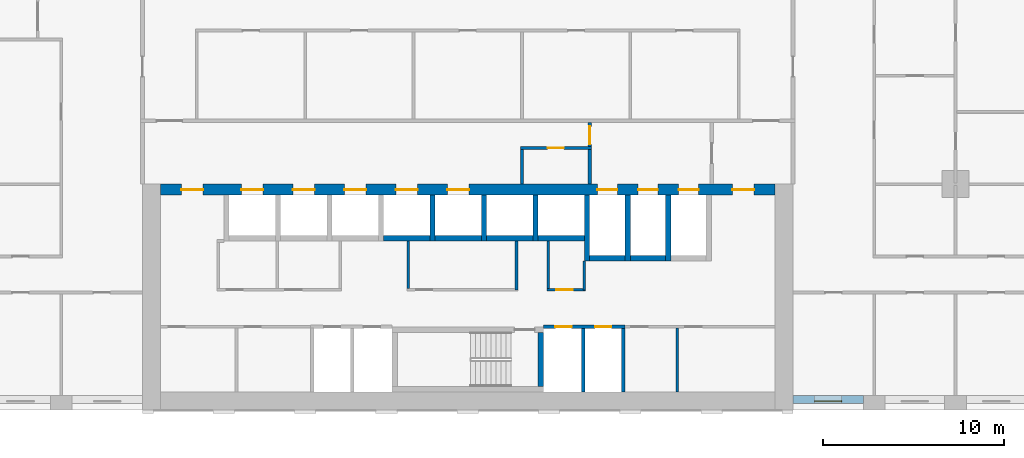
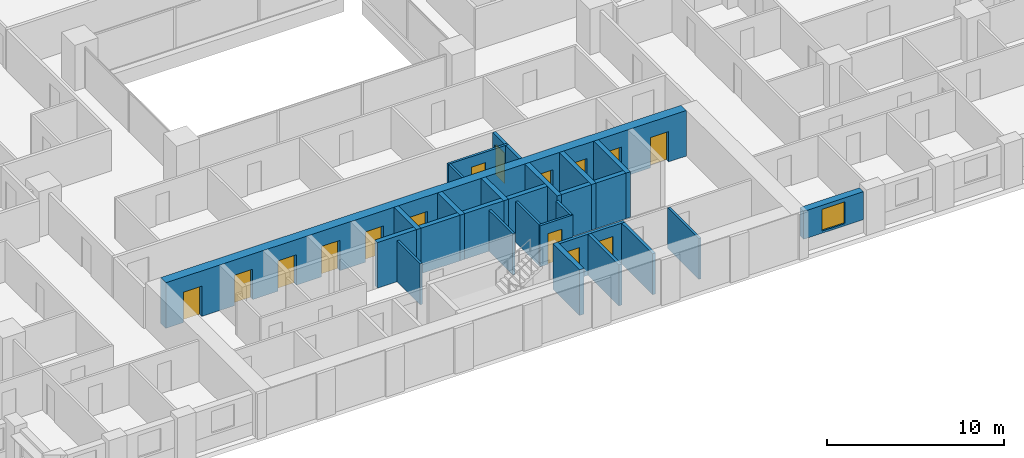
# One storey, part 11 of 19: 28 walls, 15 doors, 1 window, 16 openings.
"""IFC4 building model written with IfcOpenShell, lengths in metres."""

from ifc_helpers import new_model, si_unit, direction, frame, frame_2d, origin, place, context, subcontext, project, spatial, rectangle, extrude, material, layer, layer_set, type_object, element, fill, save


model = new_model("IFC4")

# Units and contexts
model_context = context("Model", 3, precision=1e-05, world=origin(), true_north=direction((0.0, 1.0)))
body_context = subcontext(model_context, "Body", "Model", "MODEL_VIEW")
ifc_project = project(units=[si_unit("LENGTHUNIT", "METRE"), si_unit("AREAUNIT", "SQUARE_METRE"), si_unit("VOLUMEUNIT", "CUBIC_METRE"), si_unit("PLANEANGLEUNIT", "RADIAN"), si_unit("MASSUNIT", "GRAM", prefix="KILO")], contexts=[model_context])

# Site, building, storey
site_placement = place(None, origin())
site = spatial("IfcSite", under=ifc_project, at=site_placement, CompositionType="ELEMENT")
building_placement = place(site_placement, origin())
building = spatial("IfcBuilding", under=site, at=building_placement, Name="Brigalow Station Residences", CompositionType="ELEMENT")
storey_placement = place(building_placement, frame((0.0, 0.0, 22.64990234375)))
storey = spatial("IfcBuildingStorey", under=building, at=storey_placement, Name="L05", CompositionType="ELEMENT", Elevation=22.64990234375)

# Wall, opening, window
ifc_material_1 = material(Name="Clay brick masonry", Category="masonry")
ifc_layer_1 = layer(ifc_material_1, 0.449951171875)
ifc_layer_set_1 = layer_set([ifc_layer_1], Name="BRICK INFILL WALL 450")
wall_type_1 = type_object("IfcWallType", Name="BRICK INFILL WALL 450", PredefinedType="SOLIDWALL", material=ifc_layer_set_1)
wall_1_placement = place(storey_placement, frame((54.0, 0.574951171875, 0.900146484375), z_axis=(0.0, 0.0, 1.0), x_axis=(1.0, 0.0, 0.0)))
wall_1 = element("IfcWall", 1, at=wall_1_placement, inside=storey, type_object=wall_type_1, Name="L05/ewall/W-L05-5", PredefinedType="SOLIDWALL", context=body_context, shape_type="SweptSolid", body=[
    extrude(rectangle(XDim=3.89990234375, YDim=0.449951171875, at=frame_2d((1.949951171875, 0.0))), origin(), (0.0, 0.0, 1.0), 1.929931640625),
])
opening_1_placement = place(wall_1_placement, frame((1.199951171875, 0.0, 0.14990234375)))
opening_1 = element("IfcOpeningElement", 2, at=opening_1_placement, cuts=wall_1, Name="Opening WT-1", PredefinedType="OPENING", context=body_context, shape_type="SweptSolid", body=[
    extrude(rectangle(XDim=1.5, YDim=1.5, at=frame_2d((0.75, 0.75))), frame((0.0, 0.23486328125, 0.0), z_axis=(0.0, -1.0, 0.0), x_axis=(1.0, 0.0, 0.0)), (0.0, 0.0, 1.0), 0.469970703125),
])
ifc_material_2 = material(Name="Anodised aluminium frame with double glazing", Category="aluminium")
window_type = type_object("IfcWindowType", Name="WINDOW 1500x1500", PartitioningType="SINGLE_PANEL", PredefinedType="WINDOW", material=ifc_material_2)
window_placement = place(opening_1_placement, origin())
window = element("IfcWindow", 3, at=window_placement, inside=storey, type_object=window_type, Name="L05/window/W-L05-5", OverallHeight=1.5, OverallWidth=1.5, PartitioningType="SINGLE_PANEL", PredefinedType="WINDOW", context=body_context, shape_type="SweptSolid", body=[
    extrude(rectangle(XDim=1.5, YDim=1.5, at=frame_2d((0.75, 0.75))), frame((0.0, -0.06494140625, 0.0), z_axis=(0.0, -1.0, 0.0), x_axis=(1.0, 0.0, 0.0)), (0.0, 0.0, 1.0), 0.06005859375),
])
fill(opening_1, window)

# Walls
ifc_material_3 = material(Name="Concrete C80", Category="concrete")
ifc_layer_2 = layer(ifc_material_3, 0.300048828125)
ifc_layer_set_2 = layer_set([ifc_layer_2], Name="CORE SHEAR WALL 300 C80")
wall_type_2 = type_object("IfcWallType", Name="CORE SHEAR WALL 300 C80", PredefinedType="SHEAR", material=ifc_layer_set_2)
wall_2_placement = place(storey_placement, frame((31.35009765625, 9.5, 0.0), z_axis=(0.0, 0.0, 1.0), x_axis=(1.0, 0.0, 0.0)))
element("IfcWall", 4, at=wall_2_placement, inside=storey, type_object=wall_type_2, Name="CORE WALL SH-P4-S L05", PredefinedType="SHEAR", context=body_context, shape_type="SweptSolid", body=[
    extrude(rectangle(XDim=2.5498046875, YDim=0.300048828125, at=frame_2d((1.27490234375, 0.0))), origin(), (0.0, 0.0, 1.0), 3.150146484375),
])
wall_3_placement = place(storey_placement, frame((34.199951171875, 9.5, 0.0), z_axis=(0.0, 0.0, 1.0), x_axis=(1.0, 0.0, 0.0)))
element("IfcWall", 5, at=wall_3_placement, inside=storey, type_object=wall_type_2, Name="CORE WALL SH-P5-S L05", PredefinedType="SHEAR", context=body_context, shape_type="SweptSolid", body=[
    extrude(rectangle(XDim=2.550048828125, YDim=0.300048828125, at=frame_2d((1.27490234375, 0.0))), origin(), (0.0, 0.0, 1.0), 3.150146484375),
])
wall_4_placement = place(storey_placement, frame((34.050048828125, 9.35009765625, 0.0), z_axis=(0.0, 0.0, 1.0), x_axis=(0.0, 1.0, 0.0)))
element("IfcWall", 6, at=wall_4_placement, inside=storey, type_object=wall_type_2, Name="CORE WALL SH-P5-W L05", PredefinedType="SHEAR", context=body_context, shape_type="SweptSolid", body=[
    extrude(rectangle(XDim=2.5498046875, YDim=0.300048828125, at=frame_2d((1.27490234375, 0.0))), origin(), (0.0, 0.0, 1.0), 3.150146484375),
])
wall_5_placement = place(storey_placement, frame((37.050048828125, 9.5, 0.0), z_axis=(0.0, 0.0, 1.0), x_axis=(1.0, 0.0, 0.0)))
element("IfcWall", 7, at=wall_5_placement, inside=storey, type_object=wall_type_2, Name="CORE WALL SH-X1-S L05", PredefinedType="SHEAR", context=body_context, shape_type="SweptSolid", body=[
    extrude(rectangle(XDim=2.550048828125, YDim=0.300048828125, at=frame_2d((1.27490234375, 0.0))), origin(), (0.0, 0.0, 1.0), 3.150146484375),
])
wall_6_placement = place(storey_placement, frame((36.89990234375, 9.35009765625, 0.0), z_axis=(0.0, 0.0, 1.0), x_axis=(0.0, 1.0, 0.0)))
element("IfcWall", 8, at=wall_6_placement, inside=storey, type_object=wall_type_2, Name="CORE WALL SH-X1-W L05", PredefinedType="SHEAR", context=body_context, shape_type="SweptSolid", body=[
    extrude(rectangle(XDim=2.5498046875, YDim=0.300048828125, at=frame_2d((1.27490234375, 0.0))), origin(), (0.0, 0.0, 1.0), 3.150146484375),
])
wall_7_placement = place(storey_placement, frame((39.89990234375, 9.5, 0.0), z_axis=(0.0, 0.0, 1.0), x_axis=(1.0, 0.0, 0.0)))
element("IfcWall", 9, at=wall_7_placement, inside=storey, type_object=wall_type_2, Name="CORE WALL SH-X2-S L05", PredefinedType="SHEAR", context=body_context, shape_type="SweptSolid", body=[
    extrude(rectangle(XDim=2.550048828125, YDim=0.300048828125, at=frame_2d((1.27490234375, 0.0))), origin(), (0.0, 0.0, 1.0), 3.150146484375),
])
wall_8_placement = place(storey_placement, frame((39.75, 9.35009765625, 0.0), z_axis=(0.0, 0.0, 1.0), x_axis=(0.0, 1.0, 0.0)))
element("IfcWall", 10, at=wall_8_placement, inside=storey, type_object=wall_type_2, Name="CORE WALL SH-X2-W L05", PredefinedType="SHEAR", context=body_context, shape_type="SweptSolid", body=[
    extrude(rectangle(XDim=2.5498046875, YDim=0.300048828125, at=frame_2d((1.27490234375, 0.0))), origin(), (0.0, 0.0, 1.0), 3.150146484375),
])
wall_9_placement = place(storey_placement, frame((42.75, 8.39990234375, 0.0), z_axis=(0.0, 0.0, 1.0), x_axis=(1.0, 0.0, 0.0)))
element("IfcWall", 11, at=wall_9_placement, inside=storey, type_object=wall_type_2, Name="CORE WALL SH-FF1-S L05", PredefinedType="SHEAR", context=body_context, shape_type="SweptSolid", body=[
    extrude(rectangle(XDim=1.949951171875, YDim=0.300048828125, at=frame_2d((0.97509765625, 0.0))), origin(), (0.0, 0.0, 1.0), 3.150146484375),
])
wall_10_placement = place(storey_placement, frame((42.60009765625, 8.25, 0.0), z_axis=(0.0, 0.0, 1.0), x_axis=(0.0, 1.0, 0.0)))
element("IfcWall", 12, at=wall_10_placement, inside=storey, type_object=wall_type_2, Name="CORE WALL SH-FF1-W L05", PredefinedType="SHEAR", context=body_context, shape_type="SweptSolid", body=[
    extrude(rectangle(XDim=3.64990234375, YDim=0.300048828125, at=frame_2d((1.824951171875, 0.0))), origin(), (0.0, 0.0, 1.0), 3.150146484375),
])
wall_11_placement = place(storey_placement, frame((45.0, 8.39990234375, 0.0), z_axis=(0.0, 0.0, 1.0), x_axis=(1.0, 0.0, 0.0)))
element("IfcWall", 13, at=wall_11_placement, inside=storey, type_object=wall_type_2, Name="CORE WALL SH-FF2-S L05", PredefinedType="SHEAR", context=body_context, shape_type="SweptSolid", body=[
    extrude(rectangle(XDim=1.949951171875, YDim=0.300048828125, at=frame_2d((0.97509765625, 0.0))), origin(), (0.0, 0.0, 1.0), 3.150146484375),
])
for number, where, z_axis, x_axis, name in (
    (14, (44.85009765625, 8.25, 0.0), (0.0, 0.0, 1.0), (0.0, 1.0, 0.0), "CORE WALL SH-FF2-W L05"),
    (15, (47.10009765625, 8.25, 0.0), (0.0, 0.0, 1.0), (0.0, 1.0, 0.0), "CORE WALL SH-SL1-W L05"),
):
    element("IfcWall", number, at=place(storey_placement, frame(where, z_axis=z_axis, x_axis=x_axis)), inside=storey, type_object=wall_type_2, Name=name, PredefinedType="SHEAR", context=body_context, shape_type="SweptSolid", body=[
        extrude(rectangle(XDim=3.64990234375, YDim=0.300048828125, at=frame_2d((1.824951171875, 0.0))), origin(), (0.0, 0.0, 1.0), 3.150146484375),
    ])
wall_12_placement = place(storey_placement, frame((40.050048828125, 1.300048828125, 0.0), z_axis=(0.0, 0.0, 1.0), x_axis=(0.0, 1.0, 0.0)))
element("IfcWall", 16, at=wall_12_placement, inside=storey, type_object=wall_type_2, Name="CORE WALL ST-S2-E L05", PredefinedType="SHEAR", context=body_context, shape_type="SweptSolid", body=[
    extrude(rectangle(XDim=3.0, YDim=0.300048828125, at=frame_2d((1.5, 0.0))), origin(), (0.0, 0.0, 1.0), 3.150146484375),
])

# Wall, openings, doors
ifc_material_4 = material(Name="Concrete C80", Category="concrete")
ifc_layer_3 = layer(ifc_material_4, 0.60009765625)
ifc_layer_set_3 = layer_set([ifc_layer_3], Name="CORE SHEAR WALL 600 C80")
wall_type_3 = type_object("IfcWallType", Name="CORE SHEAR WALL 600 C80", PredefinedType="SHEAR", material=ifc_layer_set_3)
wall_13_placement = place(storey_placement, frame((19.0, 12.199951171875, 0.0), z_axis=(0.0, 0.0, 1.0), x_axis=(1.0, 0.0, 0.0)))
wall_13 = element("IfcWall", 17, at=wall_13_placement, inside=storey, type_object=wall_type_3, Name="CORE WALL OUT-N L05", PredefinedType="SHEAR", context=body_context, shape_type="SweptSolid", body=[
    extrude(rectangle(XDim=34.0, YDim=0.60009765625, at=frame_2d((17.0, 0.0))), origin(), (0.0, 0.0, 1.0), 3.150146484375),
])
opening_2_placement = place(wall_13_placement, frame((4.47509765625, 0.0, 0.0)))
opening_2 = element("IfcOpeningElement", 18, at=opening_2_placement, cuts=wall_13, Name="Opening LD-LA1", PredefinedType="OPENING", context=body_context, shape_type="SweptSolid", body=[
    extrude(rectangle(XDim=1.199951171875, YDim=2.10009765625, at=frame_2d((0.60009765625, 1.050048828125))), frame((0.0, 0.31005859375, 0.0), z_axis=(0.0, -1.0, 0.0), x_axis=(1.0, 0.0, 0.0)), (0.0, 0.0, 1.0), 0.6201171875),
])
opening_3_placement = place(wall_13_placement, frame((7.324951171875, 0.0, 0.0)))
opening_3 = element("IfcOpeningElement", 19, at=opening_3_placement, cuts=wall_13, Name="Opening LD-LA2", PredefinedType="OPENING", context=body_context, shape_type="SweptSolid", body=[
    extrude(rectangle(XDim=1.199951171875, YDim=2.10009765625, at=frame_2d((0.60009765625, 1.050048828125))), frame((0.0, 0.31005859375, 0.0), z_axis=(0.0, -1.0, 0.0), x_axis=(1.0, 0.0, 0.0)), (0.0, 0.0, 1.0), 0.6201171875),
])
opening_4_placement = place(wall_13_placement, frame((10.175048828125, 0.0, 0.0)))
opening_4 = element("IfcOpeningElement", 20, at=opening_4_placement, cuts=wall_13, Name="Opening LD-LA3", PredefinedType="OPENING", context=body_context, shape_type="SweptSolid", body=[
    extrude(rectangle(XDim=1.199951171875, YDim=2.10009765625, at=frame_2d((0.60009765625, 1.050048828125))), frame((0.0, 0.31005859375, 0.0), z_axis=(0.0, -1.0, 0.0), x_axis=(1.0, 0.0, 0.0)), (0.0, 0.0, 1.0), 0.6201171875),
])
opening_5_placement = place(wall_13_placement, frame((13.02490234375, 0.0, 0.0)))
opening_5 = element("IfcOpeningElement", 21, at=opening_5_placement, cuts=wall_13, Name="Opening LD-LA4", PredefinedType="OPENING", context=body_context, shape_type="SweptSolid", body=[
    extrude(rectangle(XDim=1.199951171875, YDim=2.10009765625, at=frame_2d((0.60009765625, 1.050048828125))), frame((0.0, 0.31005859375, 0.0), z_axis=(0.0, -1.0, 0.0), x_axis=(1.0, 0.0, 0.0)), (0.0, 0.0, 1.0), 0.6201171875),
])
opening_6_placement = place(wall_13_placement, frame((15.875, 0.0, 0.0)))
opening_6 = element("IfcOpeningElement", 22, at=opening_6_placement, cuts=wall_13, Name="Opening LD-LA5", PredefinedType="OPENING", context=body_context, shape_type="SweptSolid", body=[
    extrude(rectangle(XDim=1.199951171875, YDim=2.10009765625, at=frame_2d((0.60009765625, 1.050048828125))), frame((0.0, 0.31005859375, 0.0), z_axis=(0.0, -1.0, 0.0), x_axis=(1.0, 0.0, 0.0)), (0.0, 0.0, 1.0), 0.6201171875),
])
opening_7_placement = place(wall_13_placement, frame((24.175048828125, 0.0, 0.0)))
opening_7 = element("IfcOpeningElement", 23, at=opening_7_placement, cuts=wall_13, Name="Opening LD-LF1", PredefinedType="OPENING", context=body_context, shape_type="SweptSolid", body=[
    extrude(rectangle(XDim=1.10009765625, YDim=2.10009765625, at=frame_2d((0.550048828125, 1.050048828125))), frame((0.0, 0.31005859375, 0.0), z_axis=(0.0, -1.0, 0.0), x_axis=(1.0, 0.0, 0.0)), (0.0, 0.0, 1.0), 0.6201171875),
])
opening_8_placement = place(wall_13_placement, frame((26.425048828125, 0.0, 0.0)))
opening_8 = element("IfcOpeningElement", 24, at=opening_8_placement, cuts=wall_13, Name="Opening LD-LF2", PredefinedType="OPENING", context=body_context, shape_type="SweptSolid", body=[
    extrude(rectangle(XDim=1.10009765625, YDim=2.10009765625, at=frame_2d((0.550048828125, 1.050048828125))), frame((0.0, 0.31005859375, 0.0), z_axis=(0.0, -1.0, 0.0), x_axis=(1.0, 0.0, 0.0)), (0.0, 0.0, 1.0), 0.6201171875),
])
opening_9_placement = place(wall_13_placement, frame((28.675048828125, 0.0, 0.0)))
opening_9 = element("IfcOpeningElement", 25, at=opening_9_placement, cuts=wall_13, Name="Opening LD-LG1", PredefinedType="OPENING", context=body_context, shape_type="SweptSolid", body=[
    extrude(rectangle(XDim=1.10009765625, YDim=2.10009765625, at=frame_2d((0.550048828125, 1.050048828125))), frame((0.0, 0.31005859375, 0.0), z_axis=(0.0, -1.0, 0.0), x_axis=(1.0, 0.0, 0.0)), (0.0, 0.0, 1.0), 0.6201171875),
])
opening_10_placement = place(wall_13_placement, frame((1.14990234375, 0.0, 0.0)))
opening_10 = element("IfcOpeningElement", 26, at=opening_10_placement, cuts=wall_13, Name="Opening D-5011", PredefinedType="OPENING", context=body_context, shape_type="SweptSolid", body=[
    extrude(rectangle(XDim=1.199951171875, YDim=2.10009765625, at=frame_2d((0.60009765625, 1.050048828125))), frame((0.0, 0.31005859375, 0.0), z_axis=(0.0, -1.0, 0.0), x_axis=(1.0, 0.0, 0.0)), (0.0, 0.0, 1.0), 0.6201171875),
])
opening_11_placement = place(wall_13_placement, frame((31.64990234375, 0.0, 0.0)))
opening_11 = element("IfcOpeningElement", 27, at=opening_11_placement, cuts=wall_13, Name="Opening D-5012", PredefinedType="OPENING", context=body_context, shape_type="SweptSolid", body=[
    extrude(rectangle(XDim=1.199951171875, YDim=2.10009765625, at=frame_2d((0.60009765625, 1.050048828125))), frame((0.0, 0.31005859375, 0.0), z_axis=(0.0, -1.0, 0.0), x_axis=(1.0, 0.0, 0.0)), (0.0, 0.0, 1.0), 0.6201171875),
])
ifc_material_5 = material(Name="Steel fire door leaf in steel frame", Category="steel")
door_type_1 = type_object("IfcDoorType", Name="CORE CORRIDOR DOOR 1200 x 2100 FD60S", OperationType="SINGLE_SWING_LEFT", PredefinedType="DOOR", material=ifc_material_5)
door_1_placement = place(opening_10_placement, frame((1.199951171875, 0.0, 0.0), z_axis=(0.0, 0.0, 1.0), x_axis=(-1.0, 0.0, 0.0)))
door_1 = element("IfcDoor", 28, at=door_1_placement, inside=storey, type_object=door_type_1, Name="D-5011", OperationType="SINGLE_SWING_LEFT", OverallHeight=2.10009765625, OverallWidth=1.199951171875, PredefinedType="DOOR", context=body_context, shape_type="SweptSolid", body=[
    extrude(rectangle(XDim=1.199951171875, YDim=2.10009765625, at=frame_2d((0.60009765625, 1.050048828125))), frame((0.0, 0.02490234375, 0.0), z_axis=(0.0, -1.0, 0.0), x_axis=(1.0, 0.0, 0.0)), (0.0, 0.0, 1.0), 0.050048828125),
])
fill(opening_10, door_1)
door_2_placement = place(opening_11_placement, frame((1.199951171875, 0.0, 0.0), z_axis=(0.0, 0.0, 1.0), x_axis=(-1.0, 0.0, 0.0)))
door_2 = element("IfcDoor", 29, at=door_2_placement, inside=storey, type_object=door_type_1, Name="D-5012", OperationType="SINGLE_SWING_RIGHT", OverallHeight=2.10009765625, OverallWidth=1.199951171875, PredefinedType="DOOR", context=body_context, shape_type="SweptSolid", body=[
    extrude(rectangle(XDim=1.199951171875, YDim=2.10009765625, at=frame_2d((0.60009765625, 1.050048828125))), frame((0.0, 0.02490234375, 0.0), z_axis=(0.0, -1.0, 0.0), x_axis=(1.0, 0.0, 0.0)), (0.0, 0.0, 1.0), 0.050048828125),
])
fill(opening_11, door_2)
ifc_material_6 = material(Name="Stainless steel sliding door leaves", Category="steel")
door_type_2 = type_object("IfcDoorType", Name="LIFT LANDING DOOR 1100 x 2100", OperationType="DOUBLE_DOOR_SLIDING", PredefinedType="DOOR", material=ifc_material_6)
door_3_placement = place(opening_7_placement, origin())
door_3 = element("IfcDoor", 30, at=door_3_placement, inside=storey, type_object=door_type_2, Name="LANDING DOOR LF1", OperationType="DOUBLE_DOOR_SLIDING", OverallHeight=2.10009765625, OverallWidth=1.10009765625, PredefinedType="DOOR", context=body_context, shape_type="SweptSolid", body=[
    extrude(rectangle(XDim=1.10009765625, YDim=2.10009765625, at=frame_2d((0.550048828125, 1.050048828125))), frame((0.0, 0.02490234375, 0.0), z_axis=(0.0, -1.0, 0.0), x_axis=(1.0, 0.0, 0.0)), (0.0, 0.0, 1.0), 0.050048828125),
])
fill(opening_7, door_3)
door_4_placement = place(opening_8_placement, origin())
door_4 = element("IfcDoor", 31, at=door_4_placement, inside=storey, type_object=door_type_2, Name="LANDING DOOR LF2", OperationType="DOUBLE_DOOR_SLIDING", OverallHeight=2.10009765625, OverallWidth=1.10009765625, PredefinedType="DOOR", context=body_context, shape_type="SweptSolid", body=[
    extrude(rectangle(XDim=1.10009765625, YDim=2.10009765625, at=frame_2d((0.550048828125, 1.050048828125))), frame((0.0, 0.02490234375, 0.0), z_axis=(0.0, -1.0, 0.0), x_axis=(1.0, 0.0, 0.0)), (0.0, 0.0, 1.0), 0.050048828125),
])
fill(opening_8, door_4)
door_5_placement = place(opening_9_placement, origin())
door_5 = element("IfcDoor", 32, at=door_5_placement, inside=storey, type_object=door_type_2, Name="LANDING DOOR LG1", OperationType="DOUBLE_DOOR_SLIDING", OverallHeight=2.10009765625, OverallWidth=1.10009765625, PredefinedType="DOOR", context=body_context, shape_type="SweptSolid", body=[
    extrude(rectangle(XDim=1.10009765625, YDim=2.10009765625, at=frame_2d((0.550048828125, 1.050048828125))), frame((0.0, 0.02490234375, 0.0), z_axis=(0.0, -1.0, 0.0), x_axis=(1.0, 0.0, 0.0)), (0.0, 0.0, 1.0), 0.050048828125),
])
fill(opening_9, door_5)
ifc_material_7 = material(Name="Stainless steel sliding door leaves", Category="steel")
door_type_3 = type_object("IfcDoorType", Name="LIFT LANDING DOOR 1200 x 2100", OperationType="DOUBLE_DOOR_SLIDING", PredefinedType="DOOR", material=ifc_material_7)
door_6_placement = place(opening_2_placement, origin())
door_6 = element("IfcDoor", 33, at=door_6_placement, inside=storey, type_object=door_type_3, Name="LANDING DOOR LA1", OperationType="DOUBLE_DOOR_SLIDING", OverallHeight=2.10009765625, OverallWidth=1.199951171875, PredefinedType="DOOR", context=body_context, shape_type="SweptSolid", body=[
    extrude(rectangle(XDim=1.199951171875, YDim=2.10009765625, at=frame_2d((0.60009765625, 1.050048828125))), frame((0.0, 0.02490234375, 0.0), z_axis=(0.0, -1.0, 0.0), x_axis=(1.0, 0.0, 0.0)), (0.0, 0.0, 1.0), 0.050048828125),
])
fill(opening_2, door_6)
door_7_placement = place(opening_3_placement, origin())
door_7 = element("IfcDoor", 34, at=door_7_placement, inside=storey, type_object=door_type_3, Name="LANDING DOOR LA2", OperationType="DOUBLE_DOOR_SLIDING", OverallHeight=2.10009765625, OverallWidth=1.199951171875, PredefinedType="DOOR", context=body_context, shape_type="SweptSolid", body=[
    extrude(rectangle(XDim=1.199951171875, YDim=2.10009765625, at=frame_2d((0.60009765625, 1.050048828125))), frame((0.0, 0.02490234375, 0.0), z_axis=(0.0, -1.0, 0.0), x_axis=(1.0, 0.0, 0.0)), (0.0, 0.0, 1.0), 0.050048828125),
])
fill(opening_3, door_7)
door_8_placement = place(opening_4_placement, origin())
door_8 = element("IfcDoor", 35, at=door_8_placement, inside=storey, type_object=door_type_3, Name="LANDING DOOR LA3", OperationType="DOUBLE_DOOR_SLIDING", OverallHeight=2.10009765625, OverallWidth=1.199951171875, PredefinedType="DOOR", context=body_context, shape_type="SweptSolid", body=[
    extrude(rectangle(XDim=1.199951171875, YDim=2.10009765625, at=frame_2d((0.60009765625, 1.050048828125))), frame((0.0, 0.02490234375, 0.0), z_axis=(0.0, -1.0, 0.0), x_axis=(1.0, 0.0, 0.0)), (0.0, 0.0, 1.0), 0.050048828125),
])
fill(opening_4, door_8)
door_9_placement = place(opening_5_placement, origin())
door_9 = element("IfcDoor", 36, at=door_9_placement, inside=storey, type_object=door_type_3, Name="LANDING DOOR LA4", OperationType="DOUBLE_DOOR_SLIDING", OverallHeight=2.10009765625, OverallWidth=1.199951171875, PredefinedType="DOOR", context=body_context, shape_type="SweptSolid", body=[
    extrude(rectangle(XDim=1.199951171875, YDim=2.10009765625, at=frame_2d((0.60009765625, 1.050048828125))), frame((0.0, 0.02490234375, 0.0), z_axis=(0.0, -1.0, 0.0), x_axis=(1.0, 0.0, 0.0)), (0.0, 0.0, 1.0), 0.050048828125),
])
fill(opening_5, door_9)
door_10_placement = place(opening_6_placement, origin())
door_10 = element("IfcDoor", 37, at=door_10_placement, inside=storey, type_object=door_type_3, Name="LANDING DOOR LA5", OperationType="DOUBLE_DOOR_SLIDING", OverallHeight=2.10009765625, OverallWidth=1.199951171875, PredefinedType="DOOR", context=body_context, shape_type="SweptSolid", body=[
    extrude(rectangle(XDim=1.199951171875, YDim=2.10009765625, at=frame_2d((0.60009765625, 1.050048828125))), frame((0.0, 0.02490234375, 0.0), z_axis=(0.0, -1.0, 0.0), x_axis=(1.0, 0.0, 0.0)), (0.0, 0.0, 1.0), 0.050048828125),
])
fill(opening_6, door_10)

ifc_material_8 = material(Name="Concrete blockwork", Category="masonry")
ifc_layer_4 = layer(ifc_material_8, 0.199951171875)
ifc_layer_set_4 = layer_set([ifc_layer_4], Name="FIRE RATED CORE PARTITION 200")
wall_type_4 = type_object("IfcWallType", Name="FIRE RATED CORE PARTITION 200", PredefinedType="PARTITIONING", material=ifc_layer_set_4)
wall_14_placement = place(storey_placement, frame((40.199951171875, 4.60009765625, 0.0), z_axis=(0.0, 0.0, 1.0), x_axis=(1.0, 0.0, 0.0)))
wall_14 = element("IfcWall", 38, at=wall_14_placement, inside=storey, type_object=wall_type_4, Name="PW-5018", PredefinedType="PARTITIONING", context=body_context, shape_type="SweptSolid", body=[
    extrude(rectangle(XDim=4.5, YDim=0.199951171875, at=frame_2d((2.25, 0.0))), origin(), (0.0, 0.0, 1.0), 2.830078125),
])
opening_12_placement = place(wall_14_placement, frame((0.64990234375, 0.0, 0.0)))
opening_12 = element("IfcOpeningElement", 39, at=opening_12_placement, cuts=wall_14, Name="Opening D-5009", PredefinedType="OPENING", context=body_context, shape_type="SweptSolid", body=[
    extrude(rectangle(XDim=0.89990234375, YDim=2.10009765625, at=frame_2d((0.449951171875, 1.050048828125))), frame((0.0, 0.10986328125, 0.0), z_axis=(0.0, -1.0, 0.0), x_axis=(1.0, 0.0, 0.0)), (0.0, 0.0, 1.0), 0.219970703125),
])
opening_13_placement = place(wall_14_placement, frame((2.85009765625, 0.0, 0.0)))
opening_13 = element("IfcOpeningElement", 40, at=opening_13_placement, cuts=wall_14, Name="Opening D-5010", PredefinedType="OPENING", context=body_context, shape_type="SweptSolid", body=[
    extrude(rectangle(XDim=0.89990234375, YDim=2.10009765625, at=frame_2d((0.449951171875, 1.050048828125))), frame((0.0, 0.10986328125, 0.0), z_axis=(0.0, -1.0, 0.0), x_axis=(1.0, 0.0, 0.0)), (0.0, 0.0, 1.0), 0.219970703125),
])
ifc_material_9 = material(Name="Steel fire door leaf in steel frame", Category="steel")
door_type_4 = type_object("IfcDoorType", Name="RISER ACCESS DOOR 900 x 2100 FD120", OperationType="SINGLE_SWING_LEFT", PredefinedType="DOOR", material=ifc_material_9)
door_11_placement = place(opening_12_placement, frame((0.89990234375, 0.0, 0.0), z_axis=(0.0, 0.0, 1.0), x_axis=(-1.0, 0.0, 0.0)))
door_11 = element("IfcDoor", 41, at=door_11_placement, inside=storey, type_object=door_type_4, Name="D-5009", OperationType="SINGLE_SWING_LEFT", OverallHeight=2.10009765625, OverallWidth=0.89990234375, PredefinedType="DOOR", context=body_context, shape_type="SweptSolid", body=[
    extrude(rectangle(XDim=0.89990234375, YDim=2.10009765625, at=frame_2d((0.449951171875, 1.050048828125))), frame((0.0, 0.02490234375, 0.0), z_axis=(0.0, -1.0, 0.0), x_axis=(1.0, 0.0, 0.0)), (0.0, 0.0, 1.0), 0.050048828125),
])
fill(opening_12, door_11)
door_12_placement = place(opening_13_placement, frame((0.89990234375, 0.0, 0.0), z_axis=(0.0, 0.0, 1.0), x_axis=(-1.0, 0.0, 0.0)))
door_12 = element("IfcDoor", 42, at=door_12_placement, inside=storey, type_object=door_type_4, Name="D-5010", OperationType="SINGLE_SWING_LEFT", OverallHeight=2.10009765625, OverallWidth=0.89990234375, PredefinedType="DOOR", context=body_context, shape_type="SweptSolid", body=[
    extrude(rectangle(XDim=0.89990234375, YDim=2.10009765625, at=frame_2d((0.449951171875, 1.050048828125))), frame((0.0, 0.02490234375, 0.0), z_axis=(0.0, -1.0, 0.0), x_axis=(1.0, 0.0, 0.0)), (0.0, 0.0, 1.0), 0.050048828125),
])
fill(opening_13, door_12)

# Walls
for number, where, z_axis, x_axis, name in (
    (43, (42.39990234375, 1.0, 0.0), (0.0, 0.0, 1.0), (0.0, 1.0, 0.0), "PW-5007"),
    (44, (44.60009765625, 1.0, 0.0), (0.0, 0.0, 1.0), (0.0, 1.0, 0.0), "PW-5008"),
):
    element("IfcWall", number, at=place(storey_placement, frame(where, z_axis=z_axis, x_axis=x_axis)), inside=storey, type_object=wall_type_4, Name=name, PredefinedType="PARTITIONING", context=body_context, shape_type="SweptSolid", body=[
        extrude(rectangle(XDim=3.5, YDim=0.199951171875, at=frame_2d((1.75, 0.0))), origin(), (0.0, 0.0, 1.0), 2.830078125),
    ])
wall_15_placement = place(storey_placement, frame((42.75, 12.5, 0.0), z_axis=(0.0, 0.0, 1.0), x_axis=(0.0, 1.0, 0.0)))
element("IfcWall", 45, at=wall_15_placement, inside=storey, type_object=wall_type_4, Name="PW-5046", PredefinedType="PARTITIONING", context=body_context, shape_type="SweptSolid", body=[
    extrude(rectangle(XDim=1.925048828125, YDim=0.199951171875, at=frame_2d((0.96240234375, 0.0))), origin(), (0.0, 0.0, 1.0), 2.830078125),
])

# Wall, opening, door
wall_16_placement = place(storey_placement, frame((42.75, 14.574951171875, 0.0), z_axis=(0.0, 0.0, 1.0), x_axis=(0.0, 1.0, 0.0)))
wall_16 = element("IfcWall", 46, at=wall_16_placement, inside=storey, type_object=wall_type_4, Name="PW-5047", PredefinedType="PARTITIONING", context=body_context, shape_type="SweptSolid", body=[
    extrude(rectangle(XDim=1.324951171875, YDim=0.199951171875, at=frame_2d((0.66259765625, 0.0))), origin(), (0.0, 0.0, 1.0), 2.830078125),
])
opening_14_placement = place(wall_16_placement, frame((0.125, 0.0, 0.0)))
opening_14 = element("IfcOpeningElement", 47, at=opening_14_placement, cuts=wall_16, Name="Opening D-5013", PredefinedType="OPENING", context=body_context, shape_type="SweptSolid", body=[
    extrude(rectangle(XDim=1.0, YDim=2.10009765625, at=frame_2d((0.5, 1.050048828125))), frame((0.0, 0.10986328125, 0.0), z_axis=(0.0, -1.0, 0.0), x_axis=(1.0, 0.0, 0.0)), (0.0, 0.0, 1.0), 0.219970703125),
])
ifc_material_10 = material(Name="Steel fire door leaf in steel frame", Category="steel")
door_type_5 = type_object("IfcDoorType", Name="LOBBY DOOR 1000 x 2100 FD60S", OperationType="SINGLE_SWING_LEFT", PredefinedType="DOOR", material=ifc_material_10)
door_13_placement = place(opening_14_placement, origin())
door_13 = element("IfcDoor", 48, at=door_13_placement, inside=storey, type_object=door_type_5, Name="D-5013", OperationType="SINGLE_SWING_LEFT", OverallHeight=2.10009765625, OverallWidth=1.0, PredefinedType="DOOR", context=body_context, shape_type="SweptSolid", body=[
    extrude(rectangle(XDim=1.0, YDim=2.10009765625, at=frame_2d((0.5, 1.050048828125))), frame((0.0, 0.02490234375, 0.0), z_axis=(0.0, -1.0, 0.0), x_axis=(1.0, 0.0, 0.0)), (0.0, 0.0, 1.0), 0.050048828125),
])
fill(opening_14, door_13)

ifc_material_11 = material(Name="Plasterboard on steel studs", Category="steel")
ifc_layer_5 = layer(ifc_material_11, 0.14990234375)
ifc_layer_set_5 = layer_set([ifc_layer_5], Name="SERVICE ROOM PARTITION 150")
wall_type_5 = type_object("IfcWallType", Name="SERVICE ROOM PARTITION 150", PredefinedType="PARTITIONING", material=ifc_layer_set_5)
wall_17_placement = place(storey_placement, frame((40.375, 6.64990234375, 0.0), z_axis=(0.0, 0.0, 1.0), x_axis=(1.0, 0.0, 0.0)))
wall_17 = element("IfcWall", 49, at=wall_17_placement, inside=storey, type_object=wall_type_5, Name="PW-5128", PredefinedType="PARTITIONING", context=body_context, shape_type="SweptSolid", body=[
    extrude(rectangle(XDim=2.14990234375, YDim=0.14990234375, at=frame_2d((1.074951171875, 0.0))), origin(), (0.0, 0.0, 1.0), 2.830078125),
])
opening_15_placement = place(wall_17_placement, frame((0.52490234375, 0.0, 0.0)))
opening_15 = element("IfcOpeningElement", 50, at=opening_15_placement, cuts=wall_17, Name="Opening D-5034", PredefinedType="OPENING", context=body_context, shape_type="SweptSolid", body=[
    extrude(rectangle(XDim=0.89990234375, YDim=2.10009765625, at=frame_2d((0.449951171875, 1.050048828125))), frame((0.0, 0.0849609375, 0.0), z_axis=(0.0, -1.0, 0.0), x_axis=(1.0, 0.0, 0.0)), (0.0, 0.0, 1.0), 0.169921875),
])
ifc_material_12 = material(Name="Steel door leaf in steel frame", Category="steel")
door_type_6 = type_object("IfcDoorType", Name="SERVICE ROOM DOOR 900 x 2100 FD60", OperationType="SINGLE_SWING_LEFT", PredefinedType="DOOR", material=ifc_material_12)
door_14_placement = place(opening_15_placement, origin())
door_14 = element("IfcDoor", 51, at=door_14_placement, inside=storey, type_object=door_type_6, Name="D-5034", OperationType="SINGLE_SWING_LEFT", OverallHeight=2.10009765625, OverallWidth=0.89990234375, PredefinedType="DOOR", context=body_context, shape_type="SweptSolid", body=[
    extrude(rectangle(XDim=0.89990234375, YDim=2.10009765625, at=frame_2d((0.449951171875, 1.050048828125))), frame((0.0, 0.02490234375, 0.0), z_axis=(0.0, -1.0, 0.0), x_axis=(1.0, 0.0, 0.0)), (0.0, 0.0, 1.0), 0.050048828125),
])
fill(opening_15, door_14)

wall_18_placement = place(storey_placement, frame((38.925048828125, 14.5, 0.0), z_axis=(0.0, 0.0, 1.0), x_axis=(1.0, 0.0, 0.0)))
wall_18 = element("IfcWall", 52, at=wall_18_placement, inside=storey, type_object=wall_type_5, Name="PW-5129", PredefinedType="PARTITIONING", context=body_context, shape_type="SweptSolid", body=[
    extrude(rectangle(XDim=3.925048828125, YDim=0.14990234375, at=frame_2d((1.96240234375, 0.0))), origin(), (0.0, 0.0, 1.0), 2.830078125),
])
opening_16_placement = place(wall_18_placement, frame((1.5, 0.0, 0.0)))
opening_16 = element("IfcOpeningElement", 53, at=opening_16_placement, cuts=wall_18, Name="Opening D-5076", PredefinedType="OPENING", context=body_context, shape_type="SweptSolid", body=[
    extrude(rectangle(XDim=0.89990234375, YDim=2.10009765625, at=frame_2d((0.449951171875, 1.050048828125))), frame((0.0, 0.0849609375, 0.0), z_axis=(0.0, -1.0, 0.0), x_axis=(1.0, 0.0, 0.0)), (0.0, 0.0, 1.0), 0.169921875),
])
door_15_placement = place(opening_16_placement, frame((0.89990234375, 0.0, 0.0), z_axis=(0.0, 0.0, 1.0), x_axis=(-1.0, 0.0, 0.0)))
door_15 = element("IfcDoor", 54, at=door_15_placement, inside=storey, type_object=door_type_6, Name="D-5076", OperationType="SINGLE_SWING_LEFT", OverallHeight=2.10009765625, OverallWidth=0.89990234375, PredefinedType="DOOR", context=body_context, shape_type="SweptSolid", body=[
    extrude(rectangle(XDim=0.89990234375, YDim=2.10009765625, at=frame_2d((0.449951171875, 1.050048828125))), frame((0.0, 0.02490234375, 0.0), z_axis=(0.0, -1.0, 0.0), x_axis=(1.0, 0.0, 0.0)), (0.0, 0.0, 1.0), 0.050048828125),
])
fill(opening_16, door_15)

# Walls
wall_19_placement = place(storey_placement, frame((47.60009765625, 1.0, 0.0), z_axis=(0.0, 0.0, 1.0), x_axis=(0.0, 1.0, 0.0)))
element("IfcWall", 55, at=wall_19_placement, inside=storey, type_object=wall_type_5, Name="PW-5131", PredefinedType="PARTITIONING", context=body_context, shape_type="SweptSolid", body=[
    extrude(rectangle(XDim=3.52490234375, YDim=0.14990234375, at=frame_2d((1.762451171875, 0.0))), origin(), (0.0, 0.0, 1.0), 2.830078125),
])
wall_20_placement = place(storey_placement, frame((38.699951171875, 6.64990234375, 0.0), z_axis=(0.0, 0.0, 1.0), x_axis=(0.0, 1.0, 0.0)))
element("IfcWall", 56, at=wall_20_placement, inside=storey, type_object=wall_type_5, Name="PW-5132", PredefinedType="PARTITIONING", context=body_context, shape_type="SweptSolid", body=[
    extrude(rectangle(XDim=2.7001953125, YDim=0.14990234375, at=frame_2d((1.35009765625, 0.0))), origin(), (0.0, 0.0, 1.0), 2.830078125),
])
wall_21_placement = place(storey_placement, frame((42.449951171875, 6.64990234375, 0.0), z_axis=(0.0, 0.0, 1.0), x_axis=(0.0, 1.0, 0.0)))
element("IfcWall", 57, at=wall_21_placement, inside=storey, type_object=wall_type_5, Name="PW-5029", PredefinedType="PARTITIONING", context=body_context, shape_type="SweptSolid", body=[
    extrude(rectangle(XDim=1.60009765625, YDim=0.14990234375, at=frame_2d((0.800048828125, 0.0))), origin(), (0.0, 0.0, 1.0), 2.830078125),
])
for number, where, z_axis, x_axis, name in (
    (58, (32.699951171875, 6.72509765625, 0.0), (0.0, 0.0, 1.0), (0.0, 1.0, 0.0), "PW-5135"),
    (59, (40.449951171875, 6.72509765625, 0.0), (0.0, 0.0, 1.0), (0.0, 1.0, 0.0), "PW-5044"),
):
    element("IfcWall", number, at=place(storey_placement, frame(where, z_axis=z_axis, x_axis=x_axis)), inside=storey, type_object=wall_type_5, Name=name, PredefinedType="PARTITIONING", context=body_context, shape_type="SweptSolid", body=[
        extrude(rectangle(XDim=2.625, YDim=0.14990234375, at=frame_2d((1.3125, 0.0))), origin(), (0.0, 0.0, 1.0), 2.830078125),
    ])
wall_22_placement = place(storey_placement, frame((39.0, 12.5, 0.0), z_axis=(0.0, 0.0, 1.0), x_axis=(0.0, 1.0, 0.0)))
element("IfcWall", 60, at=wall_22_placement, inside=storey, type_object=wall_type_5, Name="PW-5136", PredefinedType="PARTITIONING", context=body_context, shape_type="SweptSolid", body=[
    extrude(rectangle(XDim=1.925048828125, YDim=0.14990234375, at=frame_2d((0.96240234375, 0.0))), origin(), (0.0, 0.0, 1.0), 2.830078125),
])

save(model, "model.ifc")
